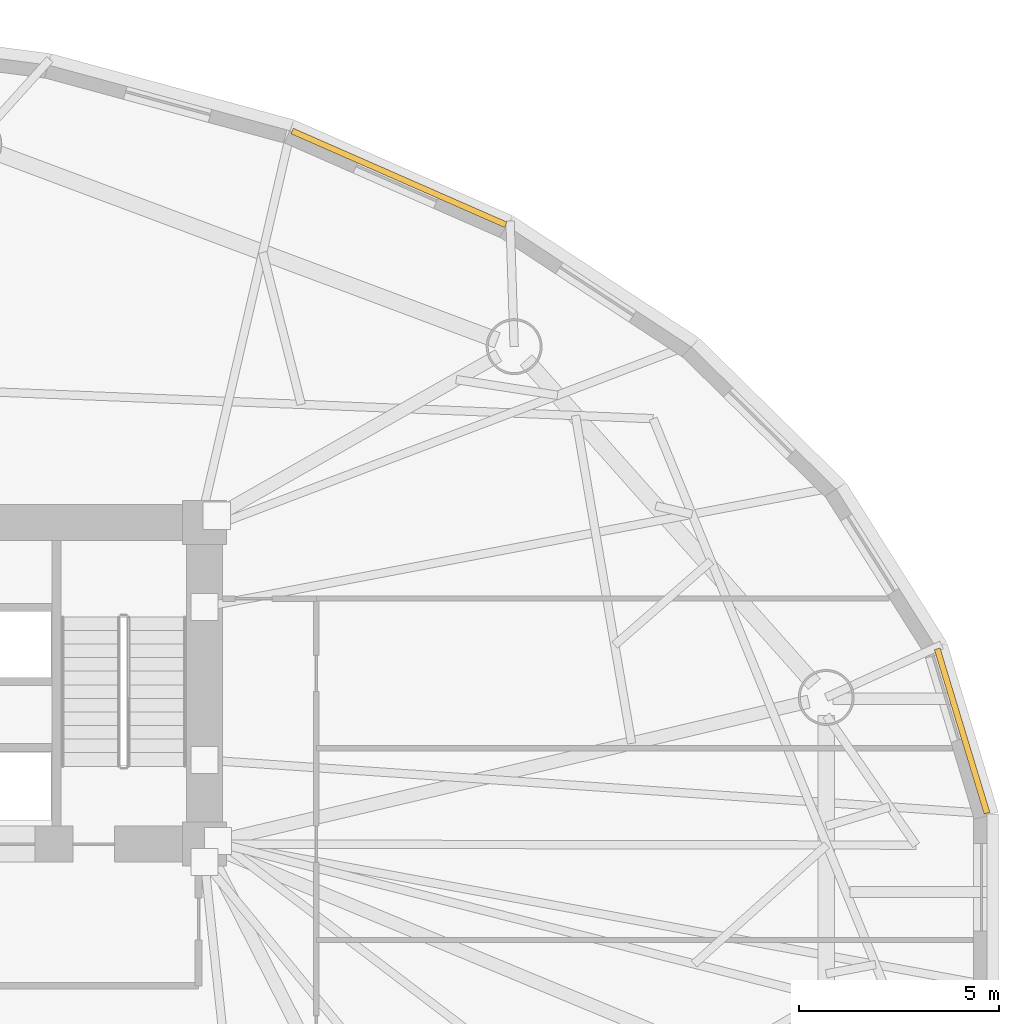
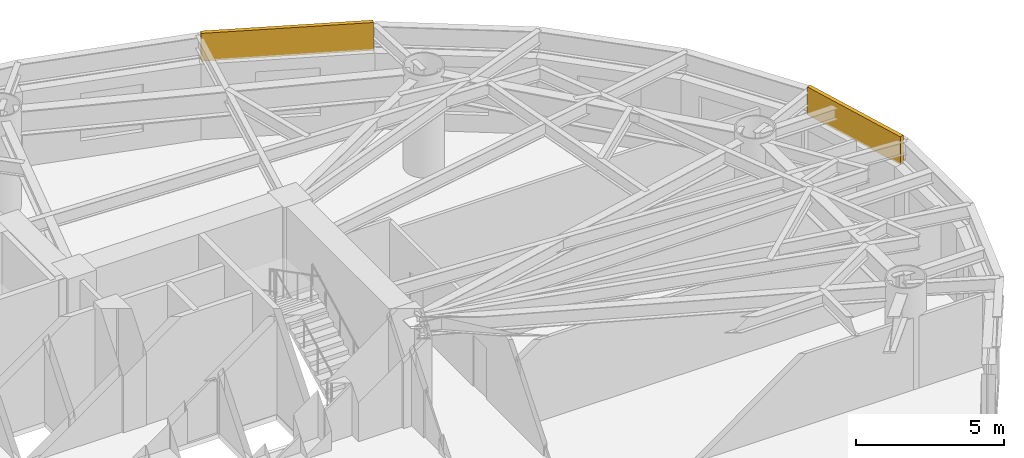
# One storey, part 19 of 19: 2 coverings.
"""IFC4 building model written with IfcOpenShell, lengths in metres."""

from ifc_helpers import new_model, si_unit, direction, frame, origin, origin_2d, place, context, subcontext, project, spatial, rectangle, extrude, material, layer, layer_set, type_object, element, save


model = new_model("IFC4")

# Units and contexts
model_context = context("Model", 3, precision=1e-05, world=origin(), true_north=direction((0.0, 1.0)))
body_context = subcontext(model_context, "Body", "Model", "MODEL_VIEW")
ifc_project = project(units=[si_unit("LENGTHUNIT", "METRE"), si_unit("AREAUNIT", "SQUARE_METRE"), si_unit("VOLUMEUNIT", "CUBIC_METRE"), si_unit("PLANEANGLEUNIT", "RADIAN"), si_unit("MASSUNIT", "GRAM", prefix="KILO")], contexts=[model_context])

# Site, building, storey
site_placement = place(None, origin())
site = spatial("IfcSite", under=ifc_project, at=site_placement, CompositionType="ELEMENT")
building_placement = place(site_placement, origin())
building = spatial("IfcBuilding", under=site, at=building_placement, Name="Keldmark Tower", CompositionType="ELEMENT")
storey_placement = place(building_placement, frame((0.0, 0.0, 10.199951171875)))
storey = spatial("IfcBuildingStorey", under=building, at=storey_placement, Name="L02", CompositionType="ELEMENT", Elevation=10.199951171875)

# Coverings
ifc_material = material(Name="Honed Kasota Buff Dolomitic Limestone", Category="masonry")
ifc_layer = layer(ifc_material, 0.074951171875)
ifc_layer_set = layer_set([ifc_layer], Name="Honed Kasota Buff Dolomitic Limestone")
covering_type = type_object("IfcCoveringType", Name="Kasota Buff Limestone Spandrel Cladding Band", PredefinedType="CLADDING", material=ifc_layer_set)
covering_1_placement = place(storey_placement, frame((32.57373046875, 4.233642578125, 3.032958984375), z_axis=(0.0, 0.0, 1.0), x_axis=(-0.289883809569, 0.957061845938, 0.0)))
element("IfcCovering", 1, at=covering_1_placement, inside=storey, type_object=covering_type, Name="L02 Kasota Limestone Spandrel Band 01", PredefinedType="CLADDING", context=body_context, shape_type="SweptSolid", body=[
    extrude(rectangle(XDim=4.2998046875, YDim=0.14990234375, at=origin_2d()), origin(), (0.0, 0.0, 1.0), 1.14697265625),
])
covering_2_placement = place(storey_placement, frame((18.4697265625, 18.085205078125, 3.032958984375), z_axis=(0.0, 0.0, 1.0), x_axis=(-0.915711693691, 0.401835904367, 0.0)))
element("IfcCovering", 2, at=covering_2_placement, inside=storey, type_object=covering_type, Name="L02 Kasota Limestone Spandrel Band 05", PredefinedType="CLADDING", context=body_context, shape_type="SweptSolid", body=[
    extrude(rectangle(XDim=5.843017578125, YDim=0.14990234375, at=origin_2d()), origin(), (0.0, 0.0, 1.0), 1.14697265625),
])

save(model, "model.ifc")
